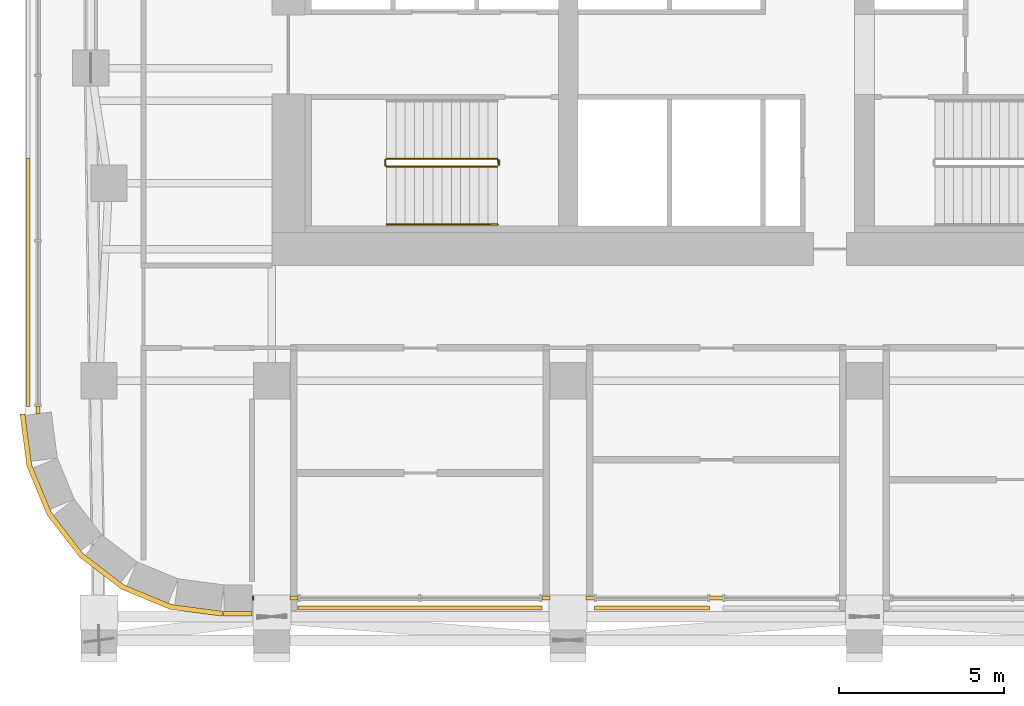
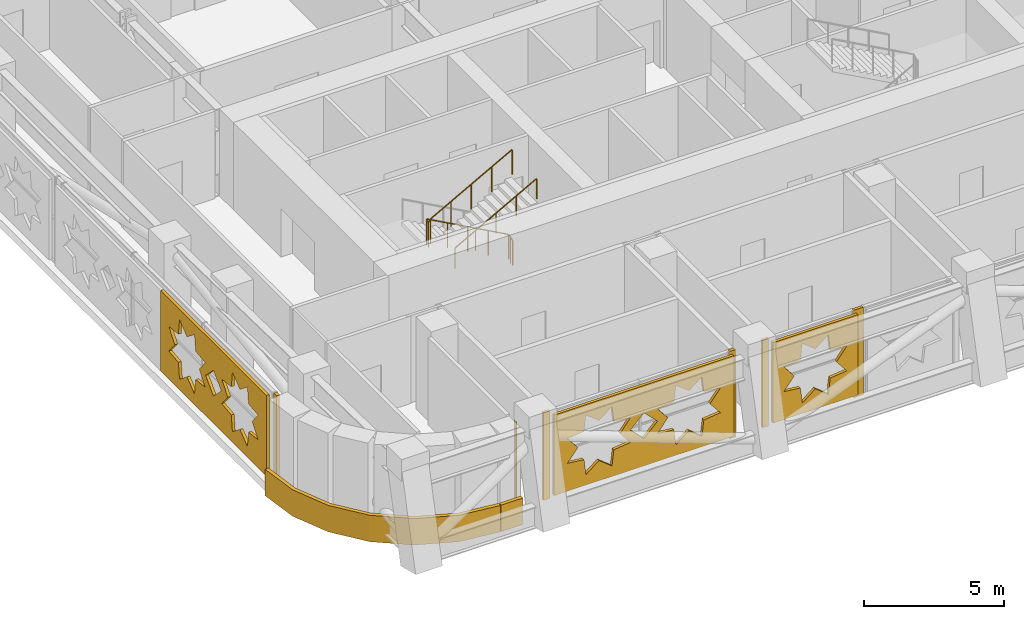
# One storey, part 19 of 27: 11 coverings, 2 railings.
"""IFC4 building model written with IfcOpenShell, lengths in metres."""

from ifc_helpers import new_model, si_unit, direction, frame, origin, origin_2d, place, context, subcontext, project, spatial, polyline, rectangle, circle, outline, extrude, material, layer, layer_set, type_object, element, save


model = new_model("IFC4")

# Units and contexts
model_context = context("Model", 3, precision=1e-05, world=origin(), true_north=direction((0.0, 1.0)))
body_context = subcontext(model_context, "Body", "Model", "MODEL_VIEW")
ifc_project = project(units=[si_unit("LENGTHUNIT", "METRE"), si_unit("AREAUNIT", "SQUARE_METRE"), si_unit("VOLUMEUNIT", "CUBIC_METRE"), si_unit("PLANEANGLEUNIT", "RADIAN"), si_unit("MASSUNIT", "GRAM", prefix="KILO")], contexts=[model_context])

# Site, building, storey
site_placement = place(None, origin())
site = spatial("IfcSite", under=ifc_project, at=site_placement, CompositionType="ELEMENT")
building_placement = place(site_placement, origin())
building = spatial("IfcBuilding", under=site, at=building_placement, Name="Zellij Exchange Tower", CompositionType="ELEMENT")
storey_placement = place(building_placement, frame((0.0, 0.0, 104.5)))
storey = spatial("IfcBuildingStorey", under=building, at=storey_placement, Name="L22", CompositionType="ELEMENT", Elevation=104.5)

# Railings
ifc_material_1 = material(Name="Stainless steel", Category="steel")
railing_type_1 = type_object("IfcRailingType", Name="CORE-RG stair guard", PredefinedType="GUARDRAIL", material=ifc_material_1)
railing_1_placement = place(storey_placement, frame((-20.10009765625, -10.800048828125, 0.0)))
element("IfcRailing", 1, at=railing_1_placement, inside=storey, type_object=railing_type_1, Name="ST1 stair guard L22", PredefinedType="GUARDRAIL", context=body_context, shape_type="SweptSolid", body=[
    extrude(circle(Radius=0.02392578125, at=origin_2d()), frame((0.0, 0.0, 1.076171875), z_axis=(0.0, -1.0, 0.0), x_axis=(1.0, 0.0, 0.0)), (0.0, 0.0, 1.0), 0.14990234375),
    extrude(circle(Radius=0.02392578125, at=origin_2d()), frame((0.0, -0.14990234375, 1.076171875), z_axis=(-0.193691321961, 0.777613689637, 0.598164376644), x_axis=(-0.970351222016, -0.241699205484, 0.0)), (0.0, 0.0, 1.0), 0.257080078125),
    extrude(circle(Radius=0.02392578125, at=origin_2d()), frame((-0.0498046875, 0.050048828125, 1.22998046875), z_axis=(-0.876421534553, 0.0, 0.481544695509), x_axis=(0.0, -1.0, 0.0)), (0.0, 0.0, 1.0), 3.833984375),
    extrude(circle(Radius=0.02392578125, at=origin_2d()), frame((-3.409912109375, 0.050048828125, 3.076171875), z_axis=(-0.707106781187, -0.707106781187, 0.0), x_axis=(0.707106781187, -0.707106781187, 0.0)), (0.0, 0.0, 1.0), 0.07080078125),
    extrude(circle(Radius=0.02392578125, at=origin_2d()), frame((-3.4599609375, 0.0, 3.076171875), z_axis=(0.0, -1.0, 0.0), x_axis=(1.0, 0.0, 0.0)), (0.0, 0.0, 1.0), 0.14990234375),
    extrude(circle(Radius=0.02392578125, at=origin_2d()), frame((-3.4599609375, -0.14990234375, 3.076171875), z_axis=(0.295599637079, -0.295599637079, 0.908428152975), x_axis=(0.707106781187, 0.707106781187, 0.0)), (0.0, 0.0, 1.0), 0.16943359375),
    extrude(circle(Radius=0.02392578125, at=origin_2d()), frame((-3.409912109375, -0.199951171875, 3.22998046875), z_axis=(0.876421534553, 0.0, 0.481544695509), x_axis=(0.0, 1.0, 0.0)), (0.0, 0.0, 1.0), 3.833984375),
    extrude(circle(Radius=0.02099609375, at=origin_2d()), origin(), (0.0, 0.0, 1.0), 1.052001953125),
    extrude(circle(Radius=0.02099609375, at=origin_2d()), frame((0.0, -0.14990234375, 0.0)), (0.0, 0.0, 1.0), 1.052001953125),
    extrude(circle(Radius=0.02099609375, at=origin_2d()), frame((-0.0498046875, 0.050048828125, 0.15380859375)), (0.0, 0.0, 1.0), 1.052001953125),
    extrude(circle(Radius=0.02099609375, at=origin_2d()), frame((-0.889892578125, 0.050048828125, 0.615234375)), (0.0, 0.0, 1.0), 1.052001953125),
    extrude(circle(Radius=0.02099609375, at=origin_2d()), frame((-1.72998046875, 0.050048828125, 1.076904296875)), (0.0, 0.0, 1.0), 1.052001953125),
    extrude(circle(Radius=0.02099609375, at=origin_2d()), frame((-2.56982421875, 0.050048828125, 1.53857421875)), (0.0, 0.0, 1.0), 1.052001953125),
    extrude(circle(Radius=0.02099609375, at=origin_2d()), frame((-3.409912109375, 0.050048828125, 2.0)), (0.0, 0.0, 1.0), 1.052001953125),
    extrude(circle(Radius=0.02099609375, at=origin_2d()), frame((-3.4599609375, 0.0, 2.0)), (0.0, 0.0, 1.0), 1.052001953125),
    extrude(circle(Radius=0.02099609375, at=origin_2d()), frame((-3.4599609375, -0.14990234375, 2.0)), (0.0, 0.0, 1.0), 1.052001953125),
    extrude(circle(Radius=0.02099609375, at=origin_2d()), frame((-3.409912109375, -0.199951171875, 2.15380859375)), (0.0, 0.0, 1.0), 1.052001953125),
    extrude(circle(Radius=0.02099609375, at=origin_2d()), frame((-2.56982421875, -0.199951171875, 2.615234375)), (0.0, 0.0, 1.0), 1.052001953125),
    extrude(circle(Radius=0.02099609375, at=origin_2d()), frame((-1.72998046875, -0.199951171875, 3.076904296875)), (0.0, 0.0, 1.0), 1.052001953125),
    extrude(circle(Radius=0.02099609375, at=origin_2d()), frame((-0.889892578125, -0.199951171875, 3.53857421875)), (0.0, 0.0, 1.0), 1.052001953125),
    extrude(circle(Radius=0.02099609375, at=origin_2d()), frame((-0.0498046875, -0.199951171875, 4.0)), (0.0, 0.0, 1.0), 1.052001953125),
])
railing_type_2 = type_object("IfcRailingType", Name="CORE-RH stair handrail", PredefinedType="HANDRAIL", material=ifc_material_1)
railing_2_placement = place(storey_placement, frame((-23.510009765625, -12.75, 2.15380859375)))
element("IfcRailing", 2, at=railing_2_placement, inside=storey, type_object=railing_type_2, Name="ST1 stair handrail L22", PredefinedType="HANDRAIL", context=body_context, shape_type="SweptSolid", body=[
    extrude(circle(Radius=0.02392578125, at=origin_2d()), frame((0.0, 0.0, 0.8759765625), z_axis=(0.876421534553, 0.0, 0.481544695509), x_axis=(0.0, 1.0, 0.0)), (0.0, 0.0, 1.0), 3.833984375),
    extrude(circle(Radius=0.02099609375, at=origin_2d()), origin(), (0.0, 0.0, 1.0), 0.851806640625),
    extrude(circle(Radius=0.02099609375, at=origin_2d()), frame((0.840087890625, 0.0, 0.46142578125)), (0.0, 0.0, 1.0), 0.851806640625),
    extrude(circle(Radius=0.02099609375, at=origin_2d()), frame((1.68017578125, 0.0, 0.923095703125)), (0.0, 0.0, 1.0), 0.851806640625),
    extrude(circle(Radius=0.02099609375, at=origin_2d()), frame((2.52001953125, 0.0, 1.384765625)), (0.0, 0.0, 1.0), 0.851806640625),
    extrude(circle(Radius=0.02099609375, at=origin_2d()), frame((3.360107421875, 0.0, 1.84619140625)), (0.0, 0.0, 1.0), 0.851806640625),
])

# Coverings
ifc_material_2 = material(Name="Limestone cladding", Category="masonry")
ifc_layer_1 = layer(ifc_material_2, 0.14990234375)
ifc_layer_set_1 = layer_set([ifc_layer_1], Name="Limestone cladding")
covering_type_1 = type_object("IfcCoveringType", Name="ENV-CV1 Stone spandrel band 150", PredefinedType="CLADDING", material=ifc_layer_set_1)
covering_1_placement = place(storey_placement, frame((0.0, 0.0, -0.35009765625)))
element("IfcCovering", 3, at=covering_1_placement, inside=storey, type_object=covering_type_1, Name="Stone spandrel band", PredefinedType="CLADDING", context=body_context, shape_type="SweptSolid", body=[
    extrude(outline(polyline([(-28.473876953125, -24.5), (-27.60009765625, -24.5), (-27.60009765625, -24.64990234375), (-28.483642578125, -24.64990234375), (-28.473876953125, -24.5)])), origin(), (0.0, 0.0, 1.0), 1.150146484375),
])
covering_2_placement = place(storey_placement, frame((0.0, 0.0, -0.35009765625)))
element("IfcCovering", 4, at=covering_2_placement, inside=storey, type_object=covering_type_1, Name="Stone spandrel band", PredefinedType="CLADDING", context=body_context, shape_type="SweptSolid", body=[
    extrude(outline(polyline([(-34.5, -18.5), (-34.295654296875, -20.052978515625), (-33.6962890625, -21.5), (-32.74267578125, -22.74267578125), (-31.5, -23.6962890625), (-30.052978515625, -24.295654296875), (-28.5, -24.5), (-28.509765625, -24.64990234375), (-30.092041015625, -24.441650390625), (-31.57568359375, -23.8271484375), (-32.849609375, -22.849609375), (-33.8271484375, -21.57568359375), (-34.441650390625, -20.092041015625), (-34.64990234375, -18.509765625), (-34.5, -18.5)])), origin(), (0.0, 0.0, 1.0), 1.150146484375),
])
ifc_layer_2 = layer(ifc_material_2, 0.1201171875)
ifc_layer_set_2 = layer_set([ifc_layer_2], Name="Limestone cladding")
covering_type_2 = type_object("IfcCoveringType", Name="ENV-CV18 Glazing closer 120", PredefinedType="CLADDING", material=ifc_layer_set_2)
covering_3_placement = place(storey_placement, frame((-13.5, -24.10009765625, 0.0), z_axis=(0.0, 0.0, 1.0), x_axis=(1.0, 0.0, 0.0)))
element("IfcCovering", 5, at=covering_3_placement, inside=storey, type_object=covering_type_2, Name="Glazing closer", PredefinedType="CLADDING", context=body_context, shape_type="SweptSolid", body=[
    extrude(rectangle(XDim=0.39990234375, YDim=0.1201171875, at=origin_2d()), origin(), (0.0, 0.0, 1.0), 3.800048828125),
])
for number, where, z_axis, x_axis, name in (
    (6, (-26.324951171875, -24.10009765625, 0.0), (0.0, 0.0, 1.0), (-1.0, 0.0, 0.0), "Glazing closer"),
    (7, (-18.675048828125, -24.10009765625, 0.0), (0.0, 0.0, 1.0), (1.0, 0.0, 0.0), "Glazing closer"),
    (8, (-17.324951171875, -24.10009765625, 0.0), (0.0, 0.0, 1.0), (-1.0, 0.0, 0.0), "Glazing closer"),
):
    element("IfcCovering", number, at=place(storey_placement, frame(where, z_axis=z_axis, x_axis=x_axis)), inside=storey, type_object=covering_type_2, Name=name, PredefinedType="CLADDING", context=body_context, shape_type="SweptSolid", body=[
        extrude(rectangle(XDim=0.25, YDim=0.1201171875, at=origin_2d()), origin(), (0.0, 0.0, 1.0), 3.800048828125),
    ])
covering_4_placement = place(storey_placement, frame((-34.10009765625, -18.383056640625, 0.0), z_axis=(0.0, 0.0, 1.0), x_axis=(0.0, -1.0, 0.0)))
element("IfcCovering", 9, at=covering_4_placement, inside=storey, type_object=covering_type_2, Name="Glazing closer", PredefinedType="CLADDING", context=body_context, shape_type="SweptSolid", body=[
    extrude(rectangle(XDim=0.218505859375, YDim=0.1201171875, at=origin_2d()), origin(), (0.0, 0.0, 1.0), 3.800048828125),
])
covering_5_placement = place(storey_placement, frame((-27.574951171875, -24.10009765625, 0.0), z_axis=(0.0, 0.0, 1.0), x_axis=(1.0, 0.0, 0.0)))
element("IfcCovering", 10, at=covering_5_placement, inside=storey, type_object=covering_type_2, Name="Glazing closer", PredefinedType="CLADDING", context=body_context, shape_type="SweptSolid", body=[
    extrude(rectangle(XDim=0.050048828125, YDim=0.1201171875, at=origin_2d()), origin(), (0.0, 0.0, 1.0), 3.800048828125),
])
ifc_material_3 = material(Name="Limestone screen", Category="masonry")
ifc_layer_3 = layer(ifc_material_3, 0.1201171875)
ifc_layer_set_3 = layer_set([ifc_layer_3], Name="Limestone screen")
covering_type_3 = type_object("IfcCoveringType", Name="ENV-SC1 Pierced stone screen 120", PredefinedType="USERDEFINED", material=ifc_layer_set_3)
covering_6_placement = place(storey_placement, frame((-26.199951171875, -24.39990234375, 0.300048828125), z_axis=(0.0, 0.0, 1.0), x_axis=(1.0, 0.0, 0.0)))
element("IfcCovering", 11, at=covering_6_placement, inside=storey, type_object=covering_type_3, Name="Pierced stone screen", ObjectType="SCREEN", PredefinedType="USERDEFINED", context=body_context, shape_type="SweptSolid", body=[
    extrude(outline(polyline([(0.0, 0.0), (7.39990234375, 0.0), (7.39990234375, 3.5), (0.0, 3.5), (0.0, 0.0)]), holes=[polyline([(3.143310546875, 2.285888671875), (2.4638671875, 2.36376953125), (2.3857421875, 3.04345703125), (1.85009765625, 2.617919921875), (1.314208984375, 3.04345703125), (1.236083984375, 2.36376953125), (0.556640625, 2.285888671875), (0.98193359375, 1.75), (0.556640625, 1.214111328125), (1.236083984375, 1.13623046875), (1.314208984375, 0.45654296875), (1.85009765625, 0.882080078125), (2.3857421875, 0.45654296875), (2.4638671875, 1.13623046875), (3.143310546875, 1.214111328125), (2.718017578125, 1.75), (3.143310546875, 2.285888671875)]), polyline([(6.843505859375, 2.285888671875), (6.163818359375, 2.36376953125), (6.085693359375, 3.04345703125), (5.550048828125, 2.617919921875), (5.01416015625, 3.04345703125), (4.936279296875, 2.36376953125), (4.256591796875, 2.285888671875), (4.681884765625, 1.75), (4.256591796875, 1.214111328125), (4.936279296875, 1.13623046875), (5.01416015625, 0.45654296875), (5.550048828125, 0.882080078125), (6.085693359375, 0.45654296875), (6.163818359375, 1.13623046875), (6.843505859375, 1.214111328125), (6.41796875, 1.75), (6.843505859375, 2.285888671875)]), polyline([(4.260009765625, 1.75), (3.699951171875, 2.31005859375), (3.139892578125, 1.75), (3.699951171875, 1.18994140625), (4.260009765625, 1.75)])]), frame((0.0, 0.06005859375, 0.0), z_axis=(0.0, -1.0, 0.0), x_axis=(1.0, 0.0, 0.0)), (0.0, 0.0, 1.0), 0.1201171875),
])
covering_7_placement = place(storey_placement, frame((-17.199951171875, -24.39990234375, 0.300048828125), z_axis=(0.0, 0.0, 1.0), x_axis=(1.0, 0.0, 0.0)))
element("IfcCovering", 12, at=covering_7_placement, inside=storey, type_object=covering_type_3, Name="Pierced stone screen", ObjectType="SCREEN", PredefinedType="USERDEFINED", context=body_context, shape_type="SweptSolid", body=[
    extrude(outline(polyline([(0.0, 0.0), (3.5, 0.0), (3.5, 3.5), (0.0, 3.5), (0.0, 0.0)]), holes=[polyline([(3.04345703125, 2.285888671875), (2.36376953125, 2.36376953125), (2.285888671875, 3.04345703125), (1.75, 2.617919921875), (1.214111328125, 3.04345703125), (1.13623046875, 2.36376953125), (0.45654296875, 2.285888671875), (0.882080078125, 1.75), (0.45654296875, 1.214111328125), (1.13623046875, 1.13623046875), (1.214111328125, 0.45654296875), (1.75, 0.882080078125), (2.285888671875, 0.45654296875), (2.36376953125, 1.13623046875), (3.04345703125, 1.214111328125), (2.617919921875, 1.75), (3.04345703125, 2.285888671875)])]), frame((0.0, 0.06005859375, 0.0), z_axis=(0.0, -1.0, 0.0), x_axis=(1.0, 0.0, 0.0)), (0.0, 0.0, 1.0), 0.1201171875),
])
covering_8_placement = place(storey_placement, frame((-34.39990234375, -10.73681640625, 0.300048828125), z_axis=(0.0, 0.0, 1.0), x_axis=(0.0, -1.0, 0.0)))
element("IfcCovering", 13, at=covering_8_placement, inside=storey, type_object=covering_type_3, Name="Pierced stone screen", ObjectType="SCREEN", PredefinedType="USERDEFINED", context=body_context, shape_type="SweptSolid", body=[
    extrude(outline(polyline([(0.0, 0.0), (7.536865234375, 0.0), (7.536865234375, 3.5), (0.0, 3.5), (0.0, 0.0)]), holes=[polyline([(3.177734375, 2.285888671875), (2.498046875, 2.36376953125), (2.419921875, 3.04345703125), (1.88427734375, 2.617919921875), (1.348388671875, 3.04345703125), (1.2705078125, 2.36376953125), (0.5908203125, 2.285888671875), (1.01611328125, 1.75), (0.5908203125, 1.214111328125), (1.2705078125, 1.13623046875), (1.348388671875, 0.45654296875), (1.88427734375, 0.882080078125), (2.419921875, 0.45654296875), (2.498046875, 1.13623046875), (3.177734375, 1.214111328125), (2.752197265625, 1.75), (3.177734375, 2.285888671875)]), polyline([(6.946044921875, 2.285888671875), (6.266357421875, 2.36376953125), (6.1884765625, 3.04345703125), (5.652587890625, 2.617919921875), (5.116943359375, 3.04345703125), (5.038818359375, 2.36376953125), (4.359130859375, 2.285888671875), (4.78466796875, 1.75), (4.359130859375, 1.214111328125), (5.038818359375, 1.13623046875), (5.116943359375, 0.45654296875), (5.652587890625, 0.882080078125), (6.1884765625, 0.45654296875), (6.266357421875, 1.13623046875), (6.946044921875, 1.214111328125), (6.520751953125, 1.75), (6.946044921875, 2.285888671875)]), polyline([(4.328369140625, 1.75), (3.768310546875, 2.31005859375), (3.20849609375, 1.75), (3.768310546875, 1.18994140625), (4.328369140625, 1.75)])]), frame((0.0, 0.06005859375, 0.0), z_axis=(0.0, -1.0, 0.0), x_axis=(1.0, 0.0, 0.0)), (0.0, 0.0, 1.0), 0.1201171875),
])

save(model, "model.ifc")
